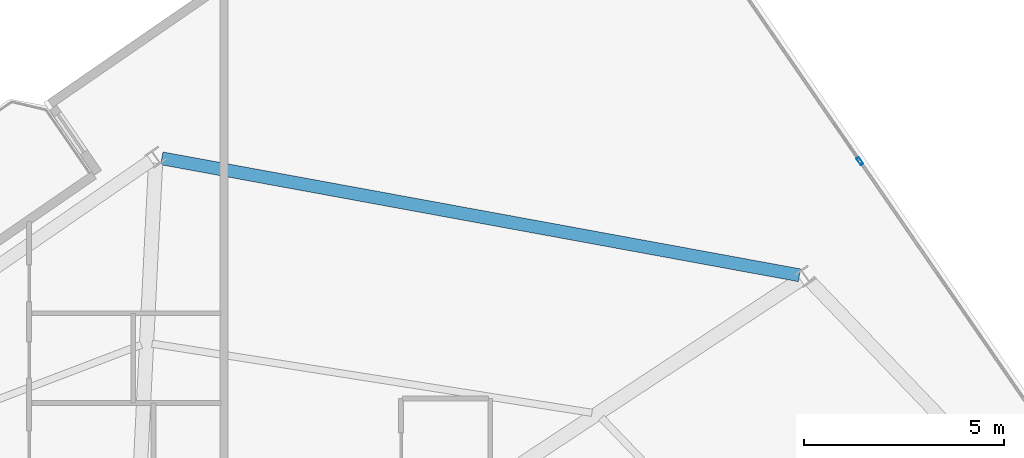
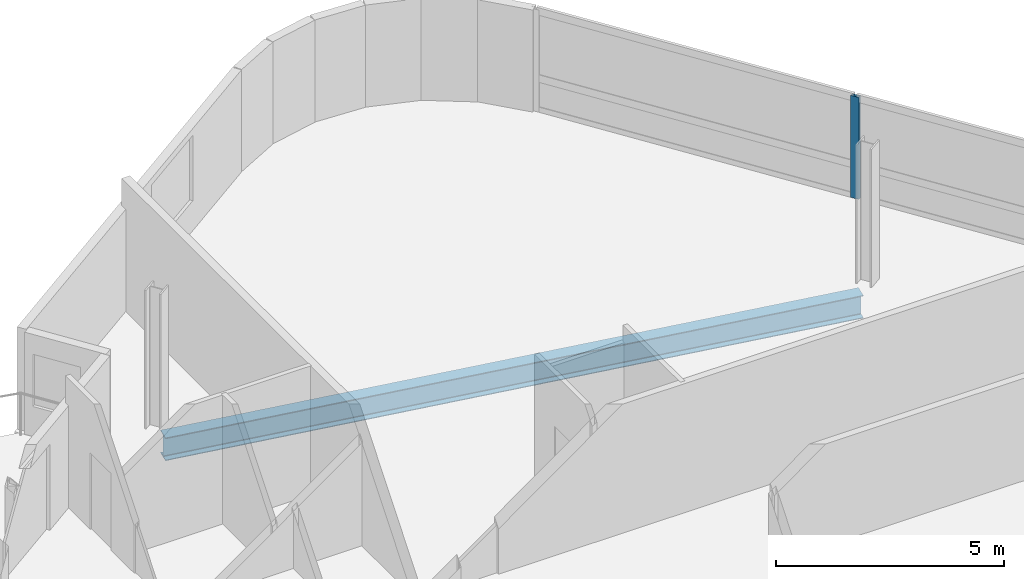
# One storey, part 9 of 21: 1 beam, 1 member, 1 element without a shape of its own.
"""IFC4 building model written with IfcOpenShell, lengths in metres."""

from ifc_helpers import new_model, si_unit, direction, frame, origin, origin_2d, place, context, subcontext, project, spatial, hollow_rectangle, i_section, extrude, material, layer, layer_set, material_profile, profile_set, type_object, element, aggregate, save


model = new_model("IFC4")

# Units and contexts
model_context = context("Model", 3, precision=1e-05, world=origin(), true_north=direction((0.0, 1.0)))
body_context = subcontext(model_context, "Body", "Model", "MODEL_VIEW")
ifc_project = project(units=[si_unit("LENGTHUNIT", "METRE"), si_unit("AREAUNIT", "SQUARE_METRE"), si_unit("VOLUMEUNIT", "CUBIC_METRE"), si_unit("PLANEANGLEUNIT", "RADIAN"), si_unit("MASSUNIT", "GRAM", prefix="KILO")], contexts=[model_context])

# Site, building, storey
site_placement = place(None, origin())
site = spatial("IfcSite", under=ifc_project, at=site_placement, CompositionType="ELEMENT")
building_placement = place(site_placement, origin())
building = spatial("IfcBuilding", under=site, at=building_placement, Name="Varnelok Gate Tower", CompositionType="ELEMENT")
storey_placement = place(building_placement, frame((0.0, 0.0, 269.300048828125)))
storey = spatial("IfcBuildingStorey", under=building, at=storey_placement, Name="L69", CompositionType="ELEMENT", Elevation=269.300048828125)

# Beam
ifc_material_1 = material(Name="Structural Steel ASTM A992 Grade 50", Category="steel")
ifc_material_profile_1 = material_profile(ifc_material_1, i_section(OverallWidth=0.323974609375, OverallDepth=0.611083984375, WebThickness=0.0126953125, FlangeThickness=0.01904296875, FilletRadius=0.01806640625, at=origin_2d()), Name="W24X104")
ifc_profile_set_1 = profile_set([ifc_material_profile_1], Name="Structural Steel ASTM A992 Grade 50")
beam_type = type_object("IfcBeamType", Name="BM-SPN-W24X104", PredefinedType="SPANDREL", material=ifc_profile_set_1)
beam_placement = place(storey_placement, frame((60.406005859375, 47.564453125, -0.5556640625), z_axis=(-0.98359926462, 0.180367642995, 0.0), x_axis=(-0.180367642995, -0.98359926462, 0.0)))
element("IfcBeam", 1, at=beam_placement, inside=storey, type_object=beam_type, Name="L69 Perimeter Spandrel Beam 8", PredefinedType="SPANDREL", context=body_context, shape_type="SweptSolid", body=[
    extrude(i_section(OverallWidth=0.323974609375, OverallDepth=0.611083984375, WebThickness=0.0126953125, FlangeThickness=0.01904296875, FilletRadius=0.01806640625, at=origin_2d()), origin(), (0.0, 0.0, 1.0), 16.23193359375),
])

# Curtain wall, member
ifc_material_2 = material(Name="Anodized Aluminum Alloy 6063-T6", Category="aluminium")
ifc_layer = layer(ifc_material_2, 0.179931640625)
ifc_layer_set = layer_set([ifc_layer], Name="Anodized Aluminum Alloy 6063-T6")
curtain_wall_type = type_object("IfcCurtainWallType", Name="CW4-RESIDENCE-VISION", PredefinedType="USERDEFINED", material=ifc_layer_set)
curtain_wall_placement = place(storey_placement, origin())
curtain_wall = element("IfcCurtainWall", 2, at=curtain_wall_placement, inside=storey, type_object=curtain_wall_type, Name="L69 East End Vision Curtain Wall", ObjectType="UNITISED CURTAIN WALL", PredefinedType="USERDEFINED")
ifc_material_profile_2 = material_profile(ifc_material_2, hollow_rectangle(XDim=0.074951171875, YDim=0.199951171875, WallThickness=0.00390625, at=origin_2d()), Name="ALU200X75X4")
ifc_profile_set_2 = profile_set([ifc_material_profile_2], Name="Anodized Aluminum Alloy 6063-T6")
member_type = type_object("IfcMemberType", Name="CW-MULL-200", PredefinedType="MULLION", material=ifc_profile_set_2)
member_placement = place(storey_placement, frame((61.9189453125, 50.420654296875, 0.0), z_axis=(0.0, 0.0, 1.0), x_axis=(0.823532290241, 0.567269395376, 0.0)))
member = element("IfcMember", 3, at=member_placement, type_object=member_type, Name="CW4 mullion 2", PredefinedType="MULLION", context=body_context, shape_type="SweptSolid", body=[
    extrude(hollow_rectangle(XDim=0.074951171875, YDim=0.199951171875, WallThickness=0.00390625, at=origin_2d()), origin(), (0.0, 0.0, 1.0), 2.72998046875),
])
aggregate(curtain_wall, [member])

save(model, "model.ifc")
